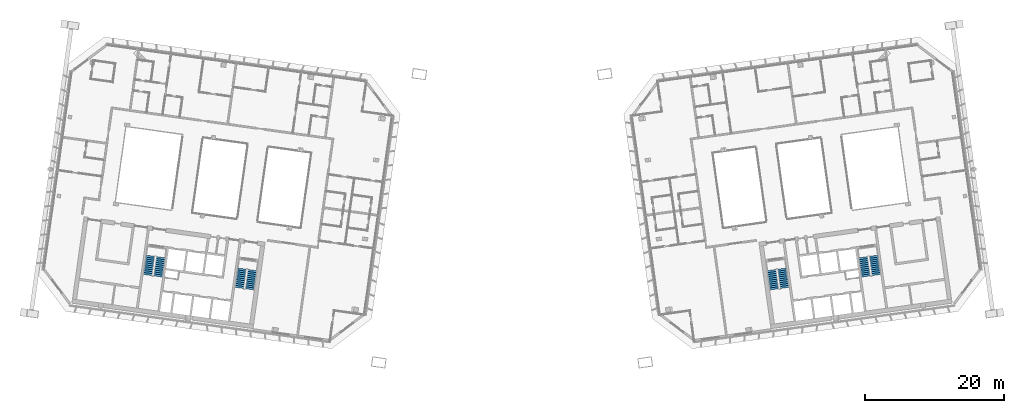
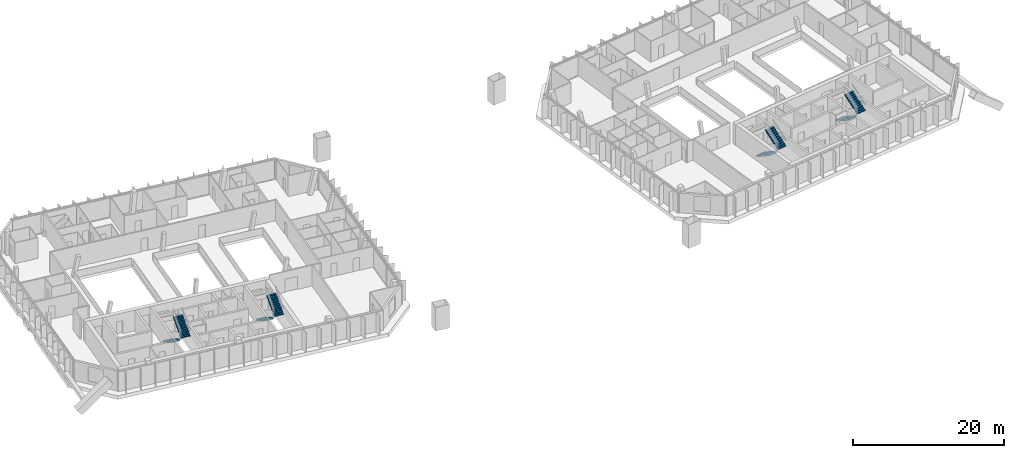
# One storey, part 21 of 25: 8 stair flights, 4 elements without a shape of their own.
"""IFC4 building model written with IfcOpenShell, lengths in metres."""

from ifc_helpers import new_model, si_unit, direction, frame, origin, place, context, subcontext, project, spatial, polyline, outline, extrude, material, type_object, element, aggregate, save


model = new_model("IFC4")

# Units and contexts
model_context = context("Model", 3, precision=1e-05, world=origin(), true_north=direction((0.0, 1.0)))
body_context = subcontext(model_context, "Body", "Model", "MODEL_VIEW")
ifc_project = project(units=[si_unit("LENGTHUNIT", "METRE"), si_unit("AREAUNIT", "SQUARE_METRE"), si_unit("VOLUMEUNIT", "CUBIC_METRE"), si_unit("PLANEANGLEUNIT", "RADIAN"), si_unit("MASSUNIT", "GRAM", prefix="KILO")], contexts=[model_context])

# Site, building, storey
site_placement = place(None, origin())
site = spatial("IfcSite", under=ifc_project, at=site_placement, CompositionType="ELEMENT")
building_placement = place(site_placement, origin())
building = spatial("IfcBuilding", under=site, at=building_placement, Name="Mirante Cascada Hotel Towers", CompositionType="ELEMENT")
storey_placement = place(building_placement, frame((0.0, 0.0, 247.0)))
storey = spatial("IfcBuildingStorey", under=building, at=storey_placement, Name="L59", CompositionType="ELEMENT", Elevation=247.0)

# Stair, stair flights
ifc_material_1 = material(Name="Concrete C35/45", Category="concrete")
stair_type = type_object("IfcStairType", Name="Exit stair half-turn 1350 concrete C35/45", PredefinedType="HALF_TURN_STAIR", material=ifc_material_1)
stair_1_placement = place(storey_placement, origin())
stair_1 = element("IfcStair", 1, at=stair_1_placement, inside=storey, type_object=stair_type, Name="L59 Exit stair A", PredefinedType="HALF_TURN_STAIR")
ifc_material_2 = material(Name="Concrete C35/45", Category="concrete")
stair_flight_type = type_object("IfcStairFlightType", Name="Exit stair flight 1350 concrete C35/45", PredefinedType="STRAIGHT", material=ifc_material_2)
stair_flight_1_placement = place(storey_placement, frame((-38.9417, -11.195, 0.0), z_axis=(0.0, 0.0, 1.0), x_axis=(-0.1391731, -0.9902681, 0.0)))
stair_flight_1 = element("IfcStairFlight", 2, at=stair_flight_1_placement, type_object=stair_flight_type, Name="ST1-A flight 1", NumberOfRisers=11, NumberOfTreads=10, PredefinedType="STRAIGHT", RiserHeight=0.172727273, TreadLength=0.28, context=body_context, shape_type="SweptSolid", body=[
    extrude(outline(polyline([(0.0, 0.0), (0.0, 0.1727), (0.28, 0.1727), (0.28, 0.3455), (0.56, 0.3455), (0.56, 0.5182), (0.84, 0.5182), (0.84, 0.6909), (1.12, 0.6909), (1.12, 0.8636), (1.4, 0.8636), (1.4, 1.0364), (1.68, 1.0364), (1.68, 1.2091), (1.96, 1.2091), (1.96, 1.3818), (2.24, 1.3818), (2.24, 1.5545), (2.52, 1.5545), (2.52, 1.7273), (2.8, 1.7273), (2.8, 1.9), (2.8, 1.551), (0.2857, 0.0), (0.0, 0.0)])), frame((0.0, 0.675, 0.0), z_axis=(0.0, -1.0, 0.0), x_axis=(1.0, 0.0, 0.0)), (0.0, 0.0, 1.0), 1.35),
])
stair_flight_2_placement = place(storey_placement, frame((-37.846, -14.1765, 1.9), z_axis=(0.0, 0.0, 1.0), x_axis=(0.1391731, 0.9902681, 0.0)))
stair_flight_2 = element("IfcStairFlight", 3, at=stair_flight_2_placement, type_object=stair_flight_type, Name="ST1-A flight 2", NumberOfRisers=11, NumberOfTreads=10, PredefinedType="STRAIGHT", RiserHeight=0.172727273, TreadLength=0.28, context=body_context, shape_type="SweptSolid", body=[
    extrude(outline(polyline([(0.0, 0.0), (0.0, 0.1727), (0.28, 0.1727), (0.28, 0.3455), (0.56, 0.3455), (0.56, 0.5182), (0.84, 0.5182), (0.84, 0.6909), (1.12, 0.6909), (1.12, 0.8636), (1.4, 0.8636), (1.4, 1.0364), (1.68, 1.0364), (1.68, 1.2091), (1.96, 1.2091), (1.96, 1.3818), (2.24, 1.3818), (2.24, 1.5545), (2.52, 1.5545), (2.52, 1.7273), (2.8, 1.7273), (2.8, 1.9), (2.8, 1.551), (0.2857, 0.0), (0.0, 0.0)])), frame((0.0, 0.675, 0.0), z_axis=(0.0, -1.0, 0.0), x_axis=(1.0, 0.0, 0.0)), (0.0, 0.0, 1.0), 1.35),
])
aggregate(stair_1, [stair_flight_1, stair_flight_2])

stair_2_placement = place(storey_placement, origin())
stair_2 = element("IfcStair", 4, at=stair_2_placement, inside=storey, type_object=stair_type, Name="L59 Exit stair B", PredefinedType="HALF_TURN_STAIR")
stair_flight_3_placement = place(storey_placement, frame((-52.1618, -9.3371, 0.0), z_axis=(0.0, 0.0, 1.0), x_axis=(-0.1391731, -0.9902681, 0.0)))
stair_flight_3 = element("IfcStairFlight", 5, at=stair_flight_3_placement, type_object=stair_flight_type, Name="ST1-B flight 1", NumberOfRisers=11, NumberOfTreads=10, PredefinedType="STRAIGHT", RiserHeight=0.172727273, TreadLength=0.28, context=body_context, shape_type="SweptSolid", body=[
    extrude(outline(polyline([(0.0, 0.0), (0.0, 0.1727), (0.28, 0.1727), (0.28, 0.3455), (0.56, 0.3455), (0.56, 0.5182), (0.84, 0.5182), (0.84, 0.6909), (1.12, 0.6909), (1.12, 0.8636), (1.4, 0.8636), (1.4, 1.0364), (1.68, 1.0364), (1.68, 1.2091), (1.96, 1.2091), (1.96, 1.3818), (2.24, 1.3818), (2.24, 1.5545), (2.52, 1.5545), (2.52, 1.7273), (2.8, 1.7273), (2.8, 1.9), (2.8, 1.551), (0.2857, 0.0), (0.0, 0.0)])), frame((0.0, 0.675, 0.0), z_axis=(0.0, -1.0, 0.0), x_axis=(1.0, 0.0, 0.0)), (0.0, 0.0, 1.0), 1.35),
])
stair_flight_4_placement = place(storey_placement, frame((-51.0661, -12.3186, 1.9), z_axis=(0.0, 0.0, 1.0), x_axis=(0.1391731, 0.9902681, 0.0)))
stair_flight_4 = element("IfcStairFlight", 6, at=stair_flight_4_placement, type_object=stair_flight_type, Name="ST1-B flight 2", NumberOfRisers=11, NumberOfTreads=10, PredefinedType="STRAIGHT", RiserHeight=0.172727273, TreadLength=0.28, context=body_context, shape_type="SweptSolid", body=[
    extrude(outline(polyline([(0.0, 0.0), (0.0, 0.1727), (0.28, 0.1727), (0.28, 0.3455), (0.56, 0.3455), (0.56, 0.5182), (0.84, 0.5182), (0.84, 0.6909), (1.12, 0.6909), (1.12, 0.8636), (1.4, 0.8636), (1.4, 1.0364), (1.68, 1.0364), (1.68, 1.2091), (1.96, 1.2091), (1.96, 1.3818), (2.24, 1.3818), (2.24, 1.5545), (2.52, 1.5545), (2.52, 1.7273), (2.8, 1.7273), (2.8, 1.9), (2.8, 1.551), (0.2857, 0.0), (0.0, 0.0)])), frame((0.0, 0.675, 0.0), z_axis=(0.0, -1.0, 0.0), x_axis=(1.0, 0.0, 0.0)), (0.0, 0.0, 1.0), 1.35),
])
aggregate(stair_2, [stair_flight_3, stair_flight_4])

stair_3_placement = place(storey_placement, origin())
stair_3 = element("IfcStair", 7, at=stair_3_placement, inside=storey, type_object=stair_type, Name="L59 Exit stair A", PredefinedType="HALF_TURN_STAIR")
stair_flight_5_placement = place(storey_placement, frame((37.4563, -11.4038, 0.0), z_axis=(0.0, 0.0, 1.0), x_axis=(0.1391731, -0.9902681, 0.0)))
stair_flight_5 = element("IfcStairFlight", 8, at=stair_flight_5_placement, type_object=stair_flight_type, Name="ST2-A flight 1", NumberOfRisers=11, NumberOfTreads=10, PredefinedType="STRAIGHT", RiserHeight=0.172727273, TreadLength=0.28, context=body_context, shape_type="SweptSolid", body=[
    extrude(outline(polyline([(0.0, 0.0), (0.0, 0.1727), (0.28, 0.1727), (0.28, 0.3455), (0.56, 0.3455), (0.56, 0.5182), (0.84, 0.5182), (0.84, 0.6909), (1.12, 0.6909), (1.12, 0.8636), (1.4, 0.8636), (1.4, 1.0364), (1.68, 1.0364), (1.68, 1.2091), (1.96, 1.2091), (1.96, 1.3818), (2.24, 1.3818), (2.24, 1.5545), (2.52, 1.5545), (2.52, 1.7273), (2.8, 1.7273), (2.8, 1.9), (2.8, 1.551), (0.2857, 0.0), (0.0, 0.0)])), frame((0.0, 0.675, 0.0), z_axis=(0.0, -1.0, 0.0), x_axis=(1.0, 0.0, 0.0)), (0.0, 0.0, 1.0), 1.35),
])
stair_flight_6_placement = place(storey_placement, frame((39.3314, -13.9678, 1.9), z_axis=(0.0, 0.0, 1.0), x_axis=(-0.1391731, 0.9902681, 0.0)))
stair_flight_6 = element("IfcStairFlight", 9, at=stair_flight_6_placement, type_object=stair_flight_type, Name="ST2-A flight 2", NumberOfRisers=11, NumberOfTreads=10, PredefinedType="STRAIGHT", RiserHeight=0.172727273, TreadLength=0.28, context=body_context, shape_type="SweptSolid", body=[
    extrude(outline(polyline([(0.0, 0.0), (0.0, 0.1727), (0.28, 0.1727), (0.28, 0.3455), (0.56, 0.3455), (0.56, 0.5182), (0.84, 0.5182), (0.84, 0.6909), (1.12, 0.6909), (1.12, 0.8636), (1.4, 0.8636), (1.4, 1.0364), (1.68, 1.0364), (1.68, 1.2091), (1.96, 1.2091), (1.96, 1.3818), (2.24, 1.3818), (2.24, 1.5545), (2.52, 1.5545), (2.52, 1.7273), (2.8, 1.7273), (2.8, 1.9), (2.8, 1.551), (0.2857, 0.0), (0.0, 0.0)])), frame((0.0, 0.675, 0.0), z_axis=(0.0, -1.0, 0.0), x_axis=(1.0, 0.0, 0.0)), (0.0, 0.0, 1.0), 1.35),
])
aggregate(stair_3, [stair_flight_5, stair_flight_6])

stair_4_placement = place(storey_placement, origin())
stair_4 = element("IfcStair", 10, at=stair_4_placement, inside=storey, type_object=stair_type, Name="L59 Exit stair B", PredefinedType="HALF_TURN_STAIR")
stair_flight_7_placement = place(storey_placement, frame((50.6764, -9.5458, 0.0), z_axis=(0.0, 0.0, 1.0), x_axis=(0.1391731, -0.9902681, 0.0)))
stair_flight_7 = element("IfcStairFlight", 11, at=stair_flight_7_placement, type_object=stair_flight_type, Name="ST2-B flight 1", NumberOfRisers=11, NumberOfTreads=10, PredefinedType="STRAIGHT", RiserHeight=0.172727273, TreadLength=0.28, context=body_context, shape_type="SweptSolid", body=[
    extrude(outline(polyline([(0.0, 0.0), (0.0, 0.1727), (0.28, 0.1727), (0.28, 0.3455), (0.56, 0.3455), (0.56, 0.5182), (0.84, 0.5182), (0.84, 0.6909), (1.12, 0.6909), (1.12, 0.8636), (1.4, 0.8636), (1.4, 1.0364), (1.68, 1.0364), (1.68, 1.2091), (1.96, 1.2091), (1.96, 1.3818), (2.24, 1.3818), (2.24, 1.5545), (2.52, 1.5545), (2.52, 1.7273), (2.8, 1.7273), (2.8, 1.9), (2.8, 1.551), (0.2857, 0.0), (0.0, 0.0)])), frame((0.0, 0.675, 0.0), z_axis=(0.0, -1.0, 0.0), x_axis=(1.0, 0.0, 0.0)), (0.0, 0.0, 1.0), 1.35),
])
stair_flight_8_placement = place(storey_placement, frame((52.5515, -12.1098, 1.9), z_axis=(0.0, 0.0, 1.0), x_axis=(-0.1391731, 0.9902681, 0.0)))
stair_flight_8 = element("IfcStairFlight", 12, at=stair_flight_8_placement, type_object=stair_flight_type, Name="ST2-B flight 2", NumberOfRisers=11, NumberOfTreads=10, PredefinedType="STRAIGHT", RiserHeight=0.172727273, TreadLength=0.28, context=body_context, shape_type="SweptSolid", body=[
    extrude(outline(polyline([(0.0, 0.0), (0.0, 0.1727), (0.28, 0.1727), (0.28, 0.3455), (0.56, 0.3455), (0.56, 0.5182), (0.84, 0.5182), (0.84, 0.6909), (1.12, 0.6909), (1.12, 0.8636), (1.4, 0.8636), (1.4, 1.0364), (1.68, 1.0364), (1.68, 1.2091), (1.96, 1.2091), (1.96, 1.3818), (2.24, 1.3818), (2.24, 1.5545), (2.52, 1.5545), (2.52, 1.7273), (2.8, 1.7273), (2.8, 1.9), (2.8, 1.551), (0.2857, 0.0), (0.0, 0.0)])), frame((0.0, 0.675, 0.0), z_axis=(0.0, -1.0, 0.0), x_axis=(1.0, 0.0, 0.0)), (0.0, 0.0, 1.0), 1.35),
])
aggregate(stair_4, [stair_flight_7, stair_flight_8])

save(model, "model.ifc")
